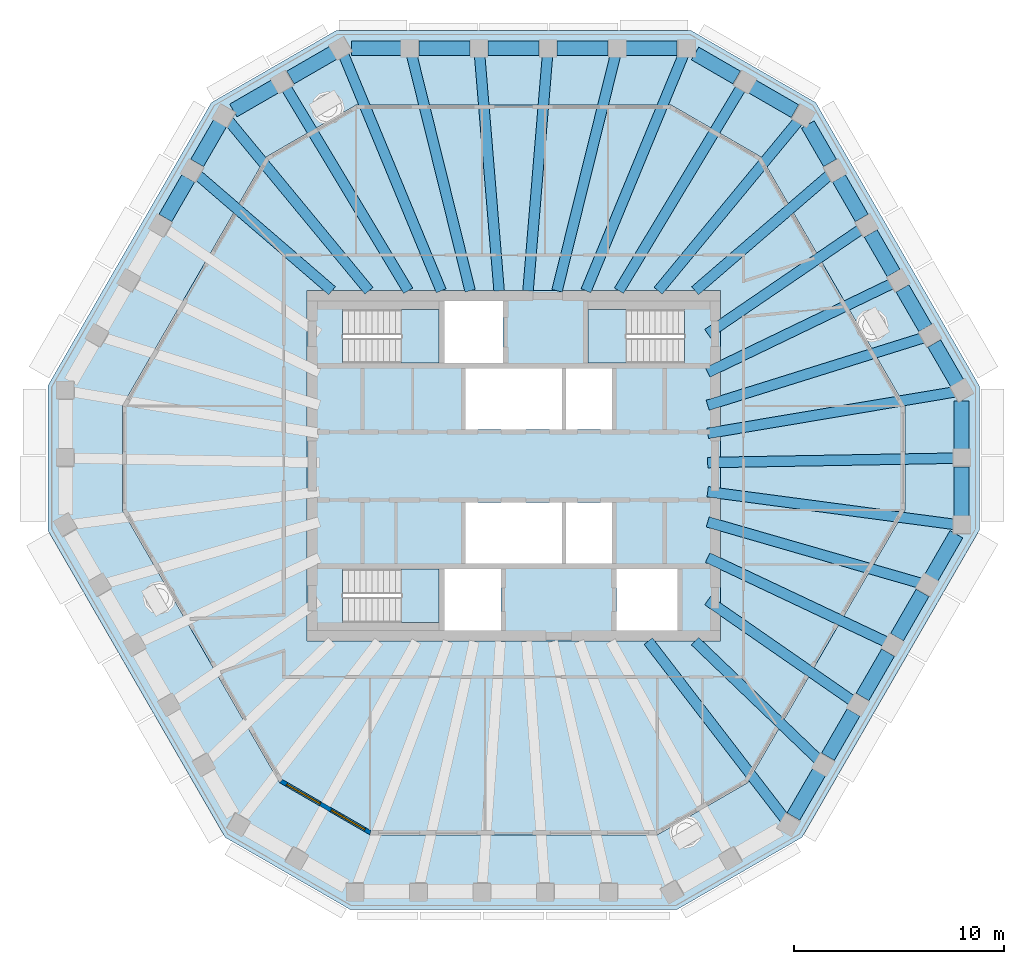
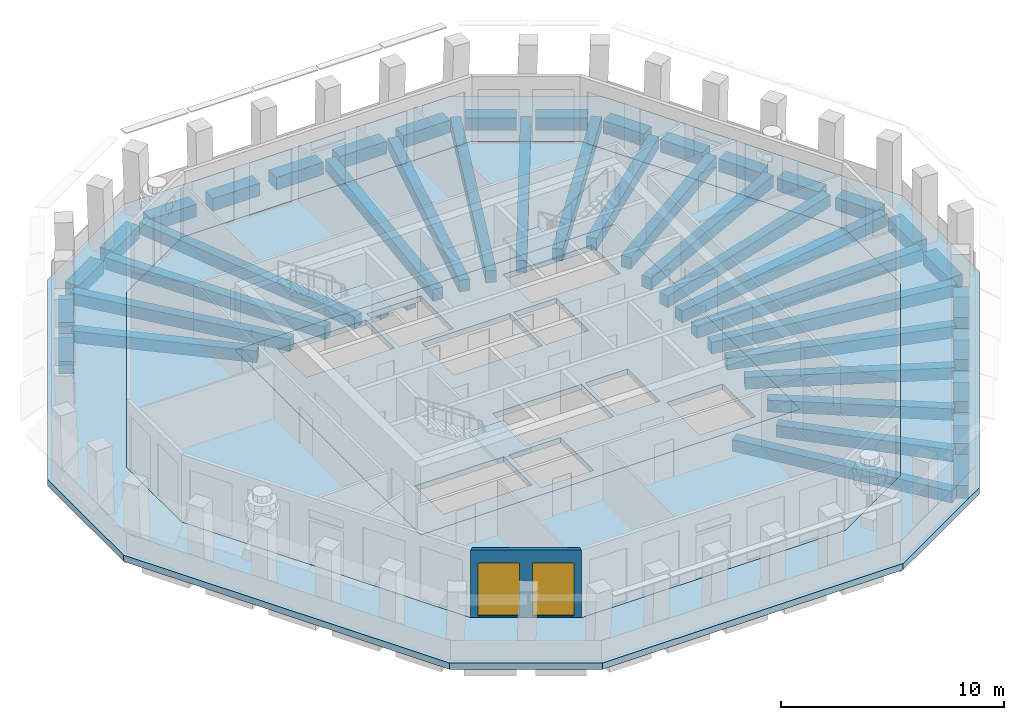
# One storey, part 2 of 11: 46 beams, 6 slabs, 2 windows, 1 wall, 2 openings, 3 elements without a shape of their own.
"""IFC4 building model written with IfcOpenShell, lengths in metres."""

from ifc_helpers import new_model, si_unit, direction, frame, frame_2d, origin, origin_2d, place, context, subcontext, project, spatial, polyline, rectangle, outline, extrude, material, layer, layer_set, material_profile, profile_set, type_object, element, fill, aggregate, save


model = new_model("IFC4")

# Units and contexts
model_context = context("Model", 3, precision=1e-05, world=origin(), true_north=direction((0.0, 1.0)))
body_context = subcontext(model_context, "Body", "Model", "MODEL_VIEW")
ifc_project = project(units=[si_unit("LENGTHUNIT", "METRE"), si_unit("AREAUNIT", "SQUARE_METRE"), si_unit("VOLUMEUNIT", "CUBIC_METRE"), si_unit("PLANEANGLEUNIT", "RADIAN"), si_unit("MASSUNIT", "GRAM", prefix="KILO")], contexts=[model_context])

# Site, building, storey
site_placement = place(None, origin())
site = spatial("IfcSite", under=ifc_project, at=site_placement, CompositionType="ELEMENT")
building_placement = place(site_placement, origin())
building = spatial("IfcBuilding", under=site, at=building_placement, Name="Frailejon Research Tower", CompositionType="ELEMENT")
storey_placement = place(building_placement, frame((0.0, 0.0, 320.60009765625)))
storey = spatial("IfcBuildingStorey", under=building, at=storey_placement, Name="L71", CompositionType="ELEMENT", Elevation=320.60009765625)

# Beams
ifc_material_1 = material(Name="Concrete C60/75", Category="concrete")
ifc_material_profile_1 = material_profile(ifc_material_1, rectangle(XDim=0.5, YDim=0.64990234375, at=origin_2d()), Name="Girder 500x650")
ifc_profile_set_1 = profile_set([ifc_material_profile_1], Name="Concrete C60/75")
beam_type_1 = type_object("IfcBeamType", Name="Girder 500x650", PredefinedType="BEAM", material=ifc_profile_set_1)
beam_1_placement = place(storey_placement, frame((21.06884765625, -2.79248046875, -0.625), z_axis=(-0.991331325827, 0.131385701023, 0.0), x_axis=(-0.131385701023, -0.991331325827, 0.0)))
element("IfcBeam", 1, at=beam_1_placement, inside=storey, type_object=beam_type_1, Name="Girder 500x650", PredefinedType="BEAM", context=body_context, shape_type="SweptSolid", body=[
    extrude(rectangle(XDim=0.5, YDim=0.64990234375, at=origin_2d()), origin(), (0.0, 0.0, 1.0), 11.922119140625),
])
beam_2_placement = place(storey_placement, frame((21.0703125, 0.372314453125, -0.625), z_axis=(-0.999843743562, -0.01767734312, 0.0), x_axis=(0.01767734312, -0.999843743562, 0.0)))
element("IfcBeam", 2, at=beam_2_placement, inside=storey, type_object=beam_type_1, Name="Girder 500x650", PredefinedType="BEAM", context=body_context, shape_type="SweptSolid", body=[
    extrude(rectangle(XDim=0.5, YDim=0.64990234375, at=origin_2d()), origin(), (0.0, 0.0, 1.0), 11.822265625),
])
beam_3_placement = place(storey_placement, frame((21.045654296875, 3.532958984375, -0.625), z_axis=(-0.986199602658, -0.165560694963, 0.0), x_axis=(0.165560694963, -0.986199602658, 0.0)))
element("IfcBeam", 3, at=beam_3_placement, inside=storey, type_object=beam_type_1, Name="Girder 500x650", PredefinedType="BEAM", context=body_context, shape_type="SweptSolid", body=[
    extrude(rectangle(XDim=0.5, YDim=0.64990234375, at=origin_2d()), origin(), (0.0, 0.0, 1.0), 11.960693359375),
])
beam_4_placement = place(storey_placement, frame((19.558837890625, 6.1201171875, -0.625), z_axis=(-0.954366094608, -0.298639176034, 0.0), x_axis=(0.298639176034, -0.954366094608, 0.0)))
element("IfcBeam", 4, at=beam_4_placement, inside=storey, type_object=beam_type_1, Name="Girder 500x650", PredefinedType="BEAM", context=body_context, shape_type="SweptSolid", body=[
    extrude(rectangle(XDim=0.5, YDim=0.64990234375, at=origin_2d()), origin(), (0.0, 0.0, 1.0), 10.8017578125),
])
beam_5_placement = place(storey_placement, frame((18.068603515625, 8.70751953125, -0.625), z_axis=(-0.900851421356, -0.434127534995, 0.0), x_axis=(0.434127534995, -0.900851421356, 0.0)))
element("IfcBeam", 5, at=beam_5_placement, inside=storey, type_object=beam_type_1, Name="Girder 500x650", PredefinedType="BEAM", context=body_context, shape_type="SweptSolid", body=[
    extrude(rectangle(XDim=0.5, YDim=0.64990234375, at=origin_2d()), origin(), (0.0, 0.0, 1.0), 9.789306640625),
])
beam_6_placement = place(storey_placement, frame((16.5751953125, 11.294189453125, -0.625), z_axis=(-0.826384640703, -0.563106051832, 0.0), x_axis=(0.563106051832, -0.826384640703, 0.0)))
element("IfcBeam", 6, at=beam_6_placement, inside=storey, type_object=beam_type_1, Name="Girder 500x650", PredefinedType="BEAM", context=body_context, shape_type="SweptSolid", body=[
    extrude(rectangle(XDim=0.5, YDim=0.64990234375, at=origin_2d()), origin(), (0.0, 0.0, 1.0), 8.8642578125),
])
beam_7_placement = place(storey_placement, frame((15.075439453125, 13.88720703125, -0.625), z_axis=(-0.757535111733, -0.652794419777, 0.0), x_axis=(0.652794419777, -0.757535111733, 0.0)))
element("IfcBeam", 7, at=beam_7_placement, inside=storey, type_object=beam_type_1, Name="Girder 500x650", PredefinedType="BEAM", context=body_context, shape_type="SweptSolid", body=[
    extrude(rectangle(XDim=0.5, YDim=0.64990234375, at=origin_2d()), origin(), (0.0, 0.0, 1.0), 8.482177734375),
])
beam_8_placement = place(storey_placement, frame((13.596923828125, 16.477294921875, -0.625), z_axis=(-0.63647359599, -0.771298490604, 0.0), x_axis=(0.771298490604, -0.63647359599, 0.0)))
element("IfcBeam", 8, at=beam_8_placement, inside=storey, type_object=beam_type_1, Name="Girder 500x650", PredefinedType="BEAM", context=body_context, shape_type="SweptSolid", body=[
    extrude(rectangle(XDim=0.5, YDim=0.64990234375, at=origin_2d()), origin(), (0.0, 0.0, 1.0), 10.537109375),
])
beam_9_placement = place(storey_placement, frame((10.857421875, 18.061279296875, -0.625), z_axis=(-0.515221183093, -0.857057251584, 0.0), x_axis=(0.857057251584, -0.515221183093, 0.0)))
element("IfcBeam", 9, at=beam_9_placement, inside=storey, type_object=beam_type_1, Name="Girder 500x650", PredefinedType="BEAM", context=body_context, shape_type="SweptSolid", body=[
    extrude(rectangle(XDim=0.5, YDim=0.64990234375, at=origin_2d()), origin(), (0.0, 0.0, 1.0), 11.330810546875),
])
beam_10_placement = place(storey_placement, frame((8.1044921875, 19.613525390625, -0.625), z_axis=(-0.381901146359, -0.9242031781, 0.0), x_axis=(0.9242031781, -0.381901146359, 0.0)))
element("IfcBeam", 10, at=beam_10_placement, inside=storey, type_object=beam_type_1, Name="Girder 500x650", PredefinedType="BEAM", context=body_context, shape_type="SweptSolid", body=[
    extrude(rectangle(XDim=0.5, YDim=0.64990234375, at=origin_2d()), origin(), (0.0, 0.0, 1.0), 12.187255859375),
])
beam_11_placement = place(storey_placement, frame((4.8642578125, 19.62060546875, -0.625), z_axis=(-0.240635455269, -0.970615566364, 0.0), x_axis=(0.970615566364, -0.240635455269, 0.0)))
element("IfcBeam", 11, at=beam_11_placement, inside=storey, type_object=beam_type_1, Name="Girder 500x650", PredefinedType="BEAM", context=body_context, shape_type="SweptSolid", body=[
    extrude(rectangle(XDim=0.5, YDim=0.64990234375, at=origin_2d()), origin(), (0.0, 0.0, 1.0), 11.61181640625),
])
for number, where, z_axis, x_axis, name in (
    (12, (1.62158203125, 19.62451171875, -0.625), (-0.082352491511, -0.996603264666, 0.0), (0.996603264666, -0.082352491511, 0.0), "Girder 500x650"),
    (13, (-1.62158203125, 19.62451171875, -0.625), (0.082352491511, -0.996603264666, 0.0), (0.996603264666, 0.082352491511, 0.0), "Girder 500x650"),
):
    element("IfcBeam", number, at=place(storey_placement, frame(where, z_axis=z_axis, x_axis=x_axis)), inside=storey, type_object=beam_type_1, Name=name, PredefinedType="BEAM", context=body_context, shape_type="SweptSolid", body=[
        extrude(rectangle(XDim=0.5, YDim=0.64990234375, at=origin_2d()), origin(), (0.0, 0.0, 1.0), 11.312744140625),
    ])
beam_12_placement = place(storey_placement, frame((-4.8642578125, 19.62060546875, -0.625), z_axis=(0.240635455269, -0.970615566364, 0.0), x_axis=(0.970615566364, 0.240635455269, 0.0)))
element("IfcBeam", 14, at=beam_12_placement, inside=storey, type_object=beam_type_1, Name="Girder 500x650", PredefinedType="BEAM", context=body_context, shape_type="SweptSolid", body=[
    extrude(rectangle(XDim=0.5, YDim=0.64990234375, at=origin_2d()), origin(), (0.0, 0.0, 1.0), 11.61181640625),
])
beam_13_placement = place(storey_placement, frame((-8.1162109375, 19.642333984375, -0.625), z_axis=(0.381888171691, -0.924208539412, 0.0), x_axis=(0.924208539412, 0.381888171691, 0.0)))
element("IfcBeam", 15, at=beam_13_placement, inside=storey, type_object=beam_type_1, Name="Girder 500x650", PredefinedType="BEAM", context=body_context, shape_type="SweptSolid", body=[
    extrude(rectangle(XDim=0.5, YDim=0.64990234375, at=origin_2d()), origin(), (0.0, 0.0, 1.0), 12.21826171875),
])
beam_14_placement = place(storey_placement, frame((-10.857421875, 18.061279296875, -0.625), z_axis=(0.515221183093, -0.857057251584, 0.0), x_axis=(0.857057251584, 0.515221183093, 0.0)))
element("IfcBeam", 16, at=beam_14_placement, inside=storey, type_object=beam_type_1, Name="Girder 500x650", PredefinedType="BEAM", context=body_context, shape_type="SweptSolid", body=[
    extrude(rectangle(XDim=0.5, YDim=0.64990234375, at=origin_2d()), origin(), (0.0, 0.0, 1.0), 11.330810546875),
])
beam_15_placement = place(storey_placement, frame((-13.58251953125, 16.459716796875, -0.625), z_axis=(0.636479317821, -0.771293768927, 0.0), x_axis=(0.771293768927, 0.636479317821, 0.0)))
element("IfcBeam", 17, at=beam_15_placement, inside=storey, type_object=beam_type_1, Name="Girder 500x650", PredefinedType="BEAM", context=body_context, shape_type="SweptSolid", body=[
    extrude(rectangle(XDim=0.5, YDim=0.64990234375, at=origin_2d()), origin(), (0.0, 0.0, 1.0), 10.514404296875),
])
beam_16_placement = place(storey_placement, frame((-15.075439453125, 13.88720703125, -0.625), z_axis=(0.757535111733, -0.652794419777, 0.0), x_axis=(0.652794419777, 0.757535111733, 0.0)))
element("IfcBeam", 18, at=beam_16_placement, inside=storey, type_object=beam_type_1, Name="Girder 500x650", PredefinedType="BEAM", context=body_context, shape_type="SweptSolid", body=[
    extrude(rectangle(XDim=0.5, YDim=0.64990234375, at=origin_2d()), origin(), (0.0, 0.0, 1.0), 8.482177734375),
])
beam_17_placement = place(storey_placement, frame((12.933837890625, -16.8251953125, -0.625), z_axis=(-0.609465707032, 0.792812431759, 0.0), x_axis=(-0.792812431759, -0.609465707032, 0.0)))
element("IfcBeam", 19, at=beam_17_placement, inside=storey, type_object=beam_type_1, Name="Girder 500x650", PredefinedType="BEAM", context=body_context, shape_type="SweptSolid", body=[
    extrude(rectangle(XDim=0.5, YDim=0.64990234375, at=origin_2d()), origin(), (0.0, 0.0, 1.0), 10.68994140625),
])
beam_18_placement = place(storey_placement, frame((14.5595703125, -14.0234375, -0.625), z_axis=(-0.721383747776, 0.692535550311, 0.0), x_axis=(-0.692535550311, -0.721383747776, 0.0)))
element("IfcBeam", 20, at=beam_18_placement, inside=storey, type_object=beam_type_1, Name="Girder 500x650", PredefinedType="BEAM", context=body_context, shape_type="SweptSolid", body=[
    extrude(rectangle(XDim=0.5, YDim=0.64990234375, at=origin_2d()), origin(), (0.0, 0.0, 1.0), 8.192138671875),
])
beam_19_placement = place(storey_placement, frame((16.184326171875, -11.216796875, -0.625), z_axis=(-0.821902482016, 0.569628220909, 0.0), x_axis=(-0.569628220909, -0.821902482016, 0.0)))
element("IfcBeam", 21, at=beam_19_placement, inside=storey, type_object=beam_type_1, Name="Girder 500x650", PredefinedType="BEAM", context=body_context, shape_type="SweptSolid", body=[
    extrude(rectangle(XDim=0.5, YDim=0.64990234375, at=origin_2d()), origin(), (0.0, 0.0, 1.0), 8.43701171875),
])
beam_20_placement = place(storey_placement, frame((17.80615234375, -8.40771484375, -0.625), z_axis=(-0.9042635903, 0.4269746588, 0.0), x_axis=(-0.4269746588, -0.9042635903, 0.0)))
element("IfcBeam", 22, at=beam_20_placement, inside=storey, type_object=beam_type_1, Name="Girder 500x650", PredefinedType="BEAM", context=body_context, shape_type="SweptSolid", body=[
    extrude(rectangle(XDim=0.5, YDim=0.64990234375, at=origin_2d()), origin(), (0.0, 0.0, 1.0), 9.4619140625),
])
beam_21_placement = place(storey_placement, frame((19.424072265625, -5.59765625, -0.625), z_axis=(-0.960897596107, 0.276903972156, 0.0), x_axis=(-0.276903972156, -0.960897596107, 0.0)))
element("IfcBeam", 23, at=beam_21_placement, inside=storey, type_object=beam_type_1, Name="Girder 500x650", PredefinedType="BEAM", context=body_context, shape_type="SweptSolid", body=[
    extrude(rectangle(XDim=0.5, YDim=0.64990234375, at=origin_2d()), origin(), (0.0, 0.0, 1.0), 10.588134765625),
])
ifc_material_2 = material(Name="Concrete C60/75", Category="concrete")
ifc_material_profile_2 = material_profile(ifc_material_2, rectangle(XDim=0.699951171875, YDim=0.699951171875, at=origin_2d()), Name="Spandrel 700x700")
ifc_profile_set_2 = profile_set([ifc_material_profile_2], Name="Concrete C60/75")
beam_type_2 = type_object("IfcBeamType", Name="Spandrel 700x700", PredefinedType="BEAM", material=ifc_profile_set_2)
beam_22_placement = place(storey_placement, frame((21.34521484375, -2.404052734375, -0.7001953125), z_axis=(0.0, 1.0, 0.0), x_axis=(-1.0, 0.0, 0.0)))
element("IfcBeam", 24, at=beam_22_placement, inside=storey, type_object=beam_type_2, Name="Spandrel 700x700", PredefinedType="BEAM", context=body_context, shape_type="SweptSolid", body=[
    extrude(rectangle(XDim=0.699951171875, YDim=0.699951171875, at=origin_2d()), origin(), (0.0, 0.0, 1.0), 2.356201171875),
])
beam_23_placement = place(storey_placement, frame((21.34521484375, 0.802001953125, -0.7001953125), z_axis=(0.0, 1.0, 0.0), x_axis=(-1.0, 0.0, 0.0)))
element("IfcBeam", 25, at=beam_23_placement, inside=storey, type_object=beam_type_2, Name="Spandrel 700x700", PredefinedType="BEAM", context=body_context, shape_type="SweptSolid", body=[
    extrude(rectangle(XDim=0.699951171875, YDim=0.699951171875, at=origin_2d()), origin(), (0.0, 0.0, 1.0), 2.29052734375),
])
beam_24_placement = place(storey_placement, frame((21.1328125, 3.951416015625, -0.7001953125), z_axis=(-0.500130031601, 0.865950316988, 0.0), x_axis=(-0.865950316988, -0.500130031601, 0.0)))
element("IfcBeam", 26, at=beam_24_placement, inside=storey, type_object=beam_type_2, Name="Spandrel 700x700", PredefinedType="BEAM", context=body_context, shape_type="SweptSolid", body=[
    extrude(rectangle(XDim=0.699951171875, YDim=0.699951171875, at=origin_2d()), origin(), (0.0, 0.0, 1.0), 2.177734375),
])
beam_25_placement = place(storey_placement, frame((19.618896484375, 6.573486328125, -0.7001953125), z_axis=(-0.500081481348, 0.865978355395, 0.0), x_axis=(-0.865978355395, -0.500081481348, 0.0)))
element("IfcBeam", 27, at=beam_25_placement, inside=storey, type_object=beam_type_2, Name="Spandrel 700x700", PredefinedType="BEAM", context=body_context, shape_type="SweptSolid", body=[
    extrude(rectangle(XDim=0.699951171875, YDim=0.699951171875, at=origin_2d()), origin(), (0.0, 0.0, 1.0), 2.177978515625),
])
for number, where, z_axis, x_axis, name in (
    (28, (18.10498046875, 9.195556640625, -0.7001953125), (-0.499997407846, 0.86602690036, 0.0), (-0.86602690036, -0.499997407846, 0.0), "Spandrel 700x700"),
    (29, (16.591064453125, 11.817626953125, -0.7001953125), (-0.499997407846, 0.86602690036, 0.0), (-0.86602690036, -0.499997407846, 0.0), "Spandrel 700x700"),
):
    element("IfcBeam", number, at=place(storey_placement, frame(where, z_axis=z_axis, x_axis=x_axis)), inside=storey, type_object=beam_type_2, Name=name, PredefinedType="BEAM", context=body_context, shape_type="SweptSolid", body=[
        extrude(rectangle(XDim=0.699951171875, YDim=0.699951171875, at=origin_2d()), origin(), (0.0, 0.0, 1.0), 2.177734375),
    ])
beam_26_placement = place(storey_placement, frame((15.0771484375, 14.43994140625, -0.7001953125), z_axis=(-0.500005994294, 0.86602194295, 0.0), x_axis=(-0.86602194295, -0.500005994294, 0.0)))
element("IfcBeam", 30, at=beam_26_placement, inside=storey, type_object=beam_type_2, Name="Spandrel 700x700", PredefinedType="BEAM", context=body_context, shape_type="SweptSolid", body=[
    extrude(rectangle(XDim=0.699951171875, YDim=0.699951171875, at=origin_2d()), origin(), (0.0, 0.0, 1.0), 2.11181640625),
])
beam_27_placement = place(storey_placement, frame((13.40771484375, 16.906494140625, -0.7001953125), z_axis=(-0.866047547699, 0.499961643653, 0.0), x_axis=(-0.499961643653, -0.866047547699, 0.0)))
element("IfcBeam", 31, at=beam_27_placement, inside=storey, type_object=beam_type_2, Name="Spandrel 700x700", PredefinedType="BEAM", context=body_context, shape_type="SweptSolid", body=[
    extrude(rectangle(XDim=0.699951171875, YDim=0.699951171875, at=origin_2d()), origin(), (0.0, 0.0, 1.0), 2.356201171875),
])
beam_28_placement = place(storey_placement, frame((10.631103515625, 18.509521484375, -0.7001953125), z_axis=(-0.866043571379, 0.499968531483, 0.0), x_axis=(-0.499968531483, -0.866043571379, 0.0)))
element("IfcBeam", 32, at=beam_28_placement, inside=storey, type_object=beam_type_2, Name="Spandrel 700x700", PredefinedType="BEAM", context=body_context, shape_type="SweptSolid", body=[
    extrude(rectangle(XDim=0.699951171875, YDim=0.699951171875, at=origin_2d()), origin(), (0.0, 0.0, 1.0), 2.290283203125),
])
for number, where, z_axis, x_axis, name in (
    (33, (7.797607421875, 19.89990234375, -0.7001953125), (-1.0, 0.0, 0.0), (0.0, -1.0, 0.0), "Spandrel 700x700"),
    (34, (4.508544921875, 19.89990234375, -0.7001953125), (-1.0, 0.0, 0.0), (0.0, -1.0, 0.0), "Spandrel 700x700"),
    (35, (1.219482421875, 19.89990234375, -0.7001953125), (-1.0, 0.0, 0.0), (0.0, -1.0, 0.0), "Spandrel 700x700"),
    (36, (-2.069580078125, 19.89990234375, -0.7001953125), (-1.0, 0.0, 0.0), (0.0, -1.0, 0.0), "Spandrel 700x700"),
):
    element("IfcBeam", number, at=place(storey_placement, frame(where, z_axis=z_axis, x_axis=x_axis)), inside=storey, type_object=beam_type_2, Name=name, PredefinedType="BEAM", context=body_context, shape_type="SweptSolid", body=[
        extrude(rectangle(XDim=0.699951171875, YDim=0.699951171875, at=origin_2d()), origin(), (0.0, 0.0, 1.0), 2.43896484375),
    ])
beam_29_placement = place(storey_placement, frame((-5.358642578125, 19.89990234375, -0.7001953125), z_axis=(-1.0, 0.0, 0.0), x_axis=(0.0, -1.0, 0.0)))
element("IfcBeam", 37, at=beam_29_placement, inside=storey, type_object=beam_type_2, Name="Spandrel 700x700", PredefinedType="BEAM", context=body_context, shape_type="SweptSolid", body=[
    extrude(rectangle(XDim=0.699951171875, YDim=0.699951171875, at=origin_2d()), origin(), (0.0, 0.0, 1.0), 2.373291015625),
])
beam_30_placement = place(storey_placement, frame((-8.5908203125, 19.6875, -0.7001953125), z_axis=(-0.866021643438, -0.500006513054, 0.0), x_axis=(0.500006513054, -0.866021643438, 0.0)))
element("IfcBeam", 38, at=beam_30_placement, inside=storey, type_object=beam_type_2, Name="Spandrel 700x700", PredefinedType="BEAM", context=body_context, shape_type="SweptSolid", body=[
    extrude(rectangle(XDim=0.699951171875, YDim=0.699951171875, at=origin_2d()), origin(), (0.0, 0.0, 1.0), 2.35595703125),
])
beam_31_placement = place(storey_placement, frame((-11.3671875, 18.08447265625, -0.7001953125), z_axis=(-0.866024062422, -0.500002323301, 0.0), x_axis=(0.500002323301, -0.866024062422, 0.0)))
element("IfcBeam", 39, at=beam_31_placement, inside=storey, type_object=beam_type_2, Name="Spandrel 700x700", PredefinedType="BEAM", context=body_context, shape_type="SweptSolid", body=[
    extrude(rectangle(XDim=0.699951171875, YDim=0.699951171875, at=origin_2d()), origin(), (0.0, 0.0, 1.0), 2.29052734375),
])
beam_32_placement = place(storey_placement, frame((-13.98828125, 16.32568359375, -0.7001953125), z_axis=(-0.500045955379, -0.865998869808, 0.0), x_axis=(0.865998869808, -0.500045955379, 0.0)))
element("IfcBeam", 40, at=beam_32_placement, inside=storey, type_object=beam_type_2, Name="Spandrel 700x700", PredefinedType="BEAM", context=body_context, shape_type="SweptSolid", body=[
    extrude(rectangle(XDim=0.699951171875, YDim=0.699951171875, at=origin_2d()), origin(), (0.0, 0.0, 1.0), 2.177490234375),
])
beam_33_placement = place(storey_placement, frame((-15.502197265625, 13.70361328125, -0.7001953125), z_axis=(-0.499997407846, -0.86602690036, 0.0), x_axis=(0.86602690036, -0.499997407846, 0.0)))
element("IfcBeam", 41, at=beam_33_placement, inside=storey, type_object=beam_type_2, Name="Spandrel 700x700", PredefinedType="BEAM", context=body_context, shape_type="SweptSolid", body=[
    extrude(rectangle(XDim=0.699951171875, YDim=0.699951171875, at=origin_2d()), origin(), (0.0, 0.0, 1.0), 2.177734375),
])
beam_34_placement = place(storey_placement, frame((13.335205078125, -16.702880859375, -0.7001953125), z_axis=(0.500025738434, 0.866010543182, 0.0), x_axis=(-0.866010543182, 0.500025738434, 0.0)))
element("IfcBeam", 42, at=beam_34_placement, inside=storey, type_object=beam_type_2, Name="Spandrel 700x700", PredefinedType="BEAM", context=body_context, shape_type="SweptSolid", body=[
    extrude(rectangle(XDim=0.699951171875, YDim=0.699951171875, at=origin_2d()), origin(), (0.0, 0.0, 1.0), 2.438720703125),
])
for number, where, z_axis, x_axis, name in (
    (43, (14.9794921875, -13.8544921875, -0.7001953125), (0.50005746179, 0.865992225662, 0.0), (-0.865992225662, 0.50005746179, 0.0), "Spandrel 700x700"),
    (44, (16.6240234375, -11.006103515625, -0.7001953125), (0.50005746179, 0.865992225662, 0.0), (-0.865992225662, 0.50005746179, 0.0), "Spandrel 700x700"),
):
    element("IfcBeam", number, at=place(storey_placement, frame(where, z_axis=z_axis, x_axis=x_axis)), inside=storey, type_object=beam_type_2, Name=name, PredefinedType="BEAM", context=body_context, shape_type="SweptSolid", body=[
        extrude(rectangle(XDim=0.699951171875, YDim=0.699951171875, at=origin_2d()), origin(), (0.0, 0.0, 1.0), 2.439208984375),
    ])
beam_35_placement = place(storey_placement, frame((18.268798828125, -8.15771484375, -0.7001953125), z_axis=(0.499982393232, 0.866035568818, 0.0), x_axis=(-0.866035568818, 0.499982393232, 0.0)))
element("IfcBeam", 45, at=beam_35_placement, inside=storey, type_object=beam_type_2, Name="Spandrel 700x700", PredefinedType="BEAM", context=body_context, shape_type="SweptSolid", body=[
    extrude(rectangle(XDim=0.699951171875, YDim=0.699951171875, at=origin_2d()), origin(), (0.0, 0.0, 1.0), 2.43896484375),
])
beam_36_placement = place(storey_placement, frame((19.9130859375, -5.309326171875, -0.7001953125), z_axis=(0.50002222493, 0.866012571835, 0.0), x_axis=(-0.866012571835, 0.50002222493, 0.0)))
element("IfcBeam", 46, at=beam_36_placement, inside=storey, type_object=beam_type_2, Name="Spandrel 700x700", PredefinedType="BEAM", context=body_context, shape_type="SweptSolid", body=[
    extrude(rectangle(XDim=0.699951171875, YDim=0.699951171875, at=origin_2d()), origin(), (0.0, 0.0, 1.0), 2.37353515625),
])

# Slabs
ifc_material_3 = material(Name="Concrete C50/60", Category="concrete")
ifc_layer_1 = layer(ifc_material_3, 0.300048828125)
ifc_layer_set_1 = layer_set([ifc_layer_1], Name="Core floor slab 300 C50/60")
slab_type_1 = type_object("IfcSlabType", Name="Core floor slab 300 C50/60", PredefinedType="FLOOR", material=ifc_layer_set_1)
slab_1_placement = place(storey_placement, frame((0.0, 0.0, -0.300048828125)))
element("IfcSlab", 47, at=slab_1_placement, inside=storey, type_object=slab_type_1, Name="Core floor slab", PredefinedType="FLOOR", context=body_context, shape_type="SweptSolid", body=[
    extrude(outline(polyline([(9.85009765625, -8.35009765625), (9.85009765625, 8.35009765625), (-9.85009765625, 8.35009765625), (-9.85009765625, -8.35009765625), (9.85009765625, -8.35009765625)]), holes=[polyline([(2.300048828125, 1.75), (2.300048828125, 4.64990234375), (-2.300048828125, 4.64990234375), (-2.300048828125, 1.75), (2.300048828125, 1.75)]), polyline([(4.699951171875, 1.75), (4.699951171875, 4.64990234375), (2.5, 4.64990234375), (2.5, 1.75), (4.699951171875, 1.75)]), polyline([(2.300048828125, -4.64990234375), (2.300048828125, -1.75), (-2.300048828125, -1.75), (-2.300048828125, -4.64990234375), (2.300048828125, -4.64990234375)]), polyline([(4.699951171875, -4.64990234375), (4.699951171875, -1.75), (2.5, -1.75), (2.5, -4.64990234375), (4.699951171875, -4.64990234375)]), polyline([(-8.14697265625, 4.89990234375), (-3.550048828125, 4.89990234375), (-3.550048828125, 7.449951171875), (-8.14697265625, 7.449951171875), (-8.14697265625, 4.89990234375)]), polyline([(-8.14697265625, -7.449951171875), (-3.550048828125, -7.449951171875), (-3.550048828125, -4.89990234375), (-8.14697265625, -4.89990234375), (-8.14697265625, -7.449951171875)]), polyline([(8.14697265625, 7.449951171875), (3.550048828125, 7.449951171875), (3.550048828125, 4.89990234375), (8.14697265625, 4.89990234375), (8.14697265625, 7.449951171875)]), polyline([(-0.60009765625, -7.85009765625), (-0.60009765625, -4.89990234375), (-3.300048828125, -4.89990234375), (-3.300048828125, -7.85009765625), (-0.60009765625, -7.85009765625)]), polyline([(7.800048828125, -7.85009765625), (7.800048828125, -4.89990234375), (4.89990234375, -4.89990234375), (4.89990234375, -7.85009765625), (7.800048828125, -7.85009765625)]), polyline([(-0.5, 4.89990234375), (-0.5, 7.85009765625), (-3.300048828125, 7.85009765625), (-3.300048828125, 4.89990234375), (-0.5, 4.89990234375)])]), origin(), (0.0, 0.0, 1.0), 0.300048828125),
])
ifc_material_4 = material(Name="Concrete C40/50", Category="concrete")
ifc_layer_2 = layer(ifc_material_4, 0.35009765625)
ifc_layer_set_2 = layer_set([ifc_layer_2], Name="Loggia slab 350")
slab_type_2 = type_object("IfcSlabType", Name="Loggia slab 350", PredefinedType="USERDEFINED", material=ifc_layer_set_2)
slab_2_placement = place(storey_placement, frame((0.0, 0.0, -0.35009765625)))
element("IfcSlab", 48, at=slab_2_placement, inside=storey, type_object=slab_type_2, Name="Loggia slab L71", ObjectType="LOGGIA", PredefinedType="USERDEFINED", context=body_context, shape_type="SweptSolid", body=[
    extrude(outline(polyline([(13.744873046875, -17.693359375), (7.79736328125, -21.127197265625), (-7.79736328125, -21.127197265625), (-13.744873046875, -17.693359375), (-22.1953125, -3.056640625), (-22.1953125, 3.810791015625), (-14.39794921875, 17.316162109375), (-8.450439453125, 20.75), (8.450439453125, 20.75), (14.39794921875, 17.316162109375), (22.1953125, 3.810791015625), (22.1953125, -3.056640625), (13.744873046875, -17.693359375)]), holes=[polyline([(18.645263671875, 2.859619140625), (11.79931640625, 14.71728515625), (7.499267578125, 17.199951171875), (-7.499267578125, 17.199951171875), (-11.79931640625, 14.71728515625), (-18.645263671875, 2.859619140625), (-18.645263671875, -2.10546875), (-11.14599609375, -15.094482421875), (-6.845947265625, -17.5771484375), (6.845947265625, -17.5771484375), (11.14599609375, -15.094482421875), (18.645263671875, -2.10546875), (18.645263671875, 2.859619140625)])]), origin(), (0.0, 0.0, 1.0), 0.35009765625),
])
ifc_material_5 = material(Name="Concrete C40/50", Category="concrete")
ifc_layer_3 = layer(ifc_material_5, 0.300048828125)
ifc_layer_set_3 = layer_set([ifc_layer_3], Name="Slab typical 300")
slab_type_3 = type_object("IfcSlabType", Name="Slab typical 300", PredefinedType="FLOOR", material=ifc_layer_set_3)
slab_3_placement = place(storey_placement, frame((0.0, 0.0, -0.300048828125)))
element("IfcSlab", 49, at=slab_3_placement, inside=storey, type_object=slab_type_3, Name="Floor slab L71", PredefinedType="FLOOR", context=body_context, shape_type="SweptSolid", body=[
    extrude(outline(polyline([(18.645263671875, -2.10546875), (18.645263671875, 2.859619140625), (11.79931640625, 14.71728515625), (7.499267578125, 17.199951171875), (-7.499267578125, 17.199951171875), (-11.79931640625, 14.71728515625), (-18.645263671875, 2.859619140625), (-18.645263671875, -2.10546875), (-11.14599609375, -15.094482421875), (-6.845947265625, -17.5771484375), (6.845947265625, -17.5771484375), (11.14599609375, -15.094482421875), (18.645263671875, -2.10546875)]), holes=[polyline([(9.25, 8.35009765625), (9.85009765625, 8.35009765625), (9.85009765625, -8.35009765625), (9.25, -8.35009765625), (-9.25, -8.35009765625), (-9.85009765625, -8.35009765625), (-9.85009765625, 8.35009765625), (-9.25, 8.35009765625), (9.25, 8.35009765625)])]), origin(), (0.0, 0.0, 1.0), 0.300048828125),
])

# Stair, slab
ifc_material_6 = material(Name="Concrete C50/60", Category="concrete")
stair_type = type_object("IfcStairType", Name="Exit stair 22 risers", PredefinedType="HALF_TURN_STAIR", material=ifc_material_6)
stair_1_placement = place(storey_placement, origin())
stair_1 = element("IfcStair", 50, at=stair_1_placement, inside=storey, type_object=stair_type, Name="L71 Exit stair ST1", PredefinedType="HALF_TURN_STAIR")
ifc_material_7 = material(Name="Concrete C50/60", Category="concrete")
ifc_layer_4 = layer(ifc_material_7, 0.199951171875)
ifc_layer_set_4 = layer_set([ifc_layer_4], Name="Stair landing slab 200")
slab_type_4 = type_object("IfcSlabType", Name="Stair landing slab 200", PredefinedType="LANDING", material=ifc_layer_set_4)
slab_4_placement = place(storey_placement, frame((0.0, 0.0, 1.7998046875)))
slab_4 = element("IfcSlab", 51, at=slab_4_placement, type_object=slab_type_4, Name="ST1 landing 1", PredefinedType="LANDING", context=body_context, shape_type="SweptSolid", body=[
    extrude(outline(polyline([(-5.35009765625, 4.89990234375), (-3.550048828125, 4.89990234375), (-3.550048828125, 7.449951171875), (-5.35009765625, 7.449951171875), (-5.35009765625, 4.89990234375)])), origin(), (0.0, 0.0, 1.0), 0.2001953125),
])
aggregate(stair_1, [slab_4])

stair_2_placement = place(storey_placement, origin())
stair_2 = element("IfcStair", 52, at=stair_2_placement, inside=storey, type_object=stair_type, Name="L71 Exit stair ST2", PredefinedType="HALF_TURN_STAIR")
slab_5_placement = place(storey_placement, frame((0.0, 0.0, 1.7998046875)))
slab_5 = element("IfcSlab", 53, at=slab_5_placement, type_object=slab_type_4, Name="ST2 landing 1", PredefinedType="LANDING", context=body_context, shape_type="SweptSolid", body=[
    extrude(outline(polyline([(-5.35009765625, -7.449951171875), (-3.550048828125, -7.449951171875), (-3.550048828125, -4.89990234375), (-5.35009765625, -4.89990234375), (-5.35009765625, -7.449951171875)])), origin(), (0.0, 0.0, 1.0), 0.2001953125),
])
aggregate(stair_2, [slab_5])

stair_3_placement = place(storey_placement, origin())
stair_3 = element("IfcStair", 54, at=stair_3_placement, inside=storey, type_object=stair_type, Name="L71 Exit stair ST3", PredefinedType="HALF_TURN_STAIR")
slab_6_placement = place(storey_placement, frame((0.0, 0.0, 1.7998046875)))
slab_6 = element("IfcSlab", 55, at=slab_6_placement, type_object=slab_type_4, Name="ST3 landing 1", PredefinedType="LANDING", context=body_context, shape_type="SweptSolid", body=[
    extrude(outline(polyline([(5.35009765625, 7.449951171875), (3.550048828125, 7.449951171875), (3.550048828125, 4.89990234375), (5.35009765625, 4.89990234375), (5.35009765625, 7.449951171875)])), origin(), (0.0, 0.0, 1.0), 0.2001953125),
])
aggregate(stair_3, [slab_6])

# Wall, openings, windows
ifc_material_8 = material(Name="Concrete C40/50 precast window wall panel", Category="concrete")
ifc_layer_5 = layer(ifc_material_8, 0.199951171875)
ifc_layer_set_5 = layer_set([ifc_layer_5], Name="Window wall 200")
wall_type = type_object("IfcWallType", Name="Window wall 200", PredefinedType="SOLIDWALL", material=ifc_layer_set_5)
wall_placement = place(storey_placement, frame((-11.07275390625, -15.021240234375, 0.0), z_axis=(0.0, 0.0, 1.0), x_axis=(0.866029143232, -0.499993523031, 0.0)))
wall = element("IfcWall", 56, at=wall_placement, inside=storey, type_object=wall_type, Name="Exterior wall L71", PredefinedType="SOLIDWALL", context=body_context, shape_type="SweptSolid", body=[
    extrude(outline(polyline([(-0.02685546875, -0.10009765625), (1.21435546875, -0.10009765625), (2.455810546875, -0.10009765625), (3.697265625, -0.10009765625), (4.9384765625, -0.10009765625), (4.884765625, 0.10009765625), (3.67041015625, 0.10009765625), (2.455810546875, 0.10009765625), (1.2412109375, 0.10009765625), (0.02685546875, 0.10009765625), (-0.02685546875, -0.10009765625)])), origin(), (0.0, 0.0, 1.0), 3.699951171875),
])
opening_1_placement = place(wall_placement, frame((0.302978515625, 0.0, 0.10009765625)))
opening_1 = element("IfcOpeningElement", 57, at=opening_1_placement, cuts=wall, Name="Opening W26", PredefinedType="OPENING", context=body_context, shape_type="SweptSolid", body=[
    extrude(rectangle(XDim=1.85009765625, YDim=2.89990234375, at=frame_2d((0.925048828125, 1.449951171875))), frame((0.0, 0.10986328125, 0.0), z_axis=(0.0, -1.0, 0.0), x_axis=(1.0, 0.0, 0.0)), (0.0, 0.0, 1.0), 0.219970703125),
])
opening_2_placement = place(wall_placement, frame((2.7587890625, 0.0, 0.10009765625)))
opening_2 = element("IfcOpeningElement", 58, at=opening_2_placement, cuts=wall, Name="Opening W26", PredefinedType="OPENING", context=body_context, shape_type="SweptSolid", body=[
    extrude(rectangle(XDim=1.85009765625, YDim=2.89990234375, at=frame_2d((0.925048828125, 1.449951171875))), frame((0.0, 0.10986328125, 0.0), z_axis=(0.0, -1.0, 0.0), x_axis=(1.0, 0.0, 0.0)), (0.0, 0.0, 1.0), 0.219970703125),
])
ifc_material_9 = material(Name="Aluminium framed double glazing", Category="aluminium")
window_type = type_object("IfcWindowType", Name="Window 1850x2900", PartitioningType="SINGLE_PANEL", PredefinedType="WINDOW", material=ifc_material_9)
window_1_placement = place(opening_1_placement, origin())
window_1 = element("IfcWindow", 59, at=window_1_placement, inside=storey, type_object=window_type, Name="Window L71", OverallHeight=2.89990234375, OverallWidth=1.85009765625, PartitioningType="SINGLE_PANEL", PredefinedType="WINDOW", context=body_context, shape_type="SweptSolid", body=[
    extrude(rectangle(XDim=1.85009765625, YDim=2.89990234375, at=frame_2d((0.925048828125, 1.449951171875))), frame((0.0, 0.030029296875, 0.0), z_axis=(0.0, -1.0, 0.0), x_axis=(1.0, 0.0, 0.0)), (0.0, 0.0, 1.0), 0.06005859375),
])
fill(opening_1, window_1)
window_2_placement = place(opening_2_placement, origin())
window_2 = element("IfcWindow", 60, at=window_2_placement, inside=storey, type_object=window_type, Name="Window L71", OverallHeight=2.89990234375, OverallWidth=1.85009765625, PartitioningType="SINGLE_PANEL", PredefinedType="WINDOW", context=body_context, shape_type="SweptSolid", body=[
    extrude(rectangle(XDim=1.85009765625, YDim=2.89990234375, at=frame_2d((0.925048828125, 1.449951171875))), frame((0.0, 0.030029296875, 0.0), z_axis=(0.0, -1.0, 0.0), x_axis=(1.0, 0.0, 0.0)), (0.0, 0.0, 1.0), 0.06005859375),
])
fill(opening_2, window_2)

save(model, "model.ifc")
